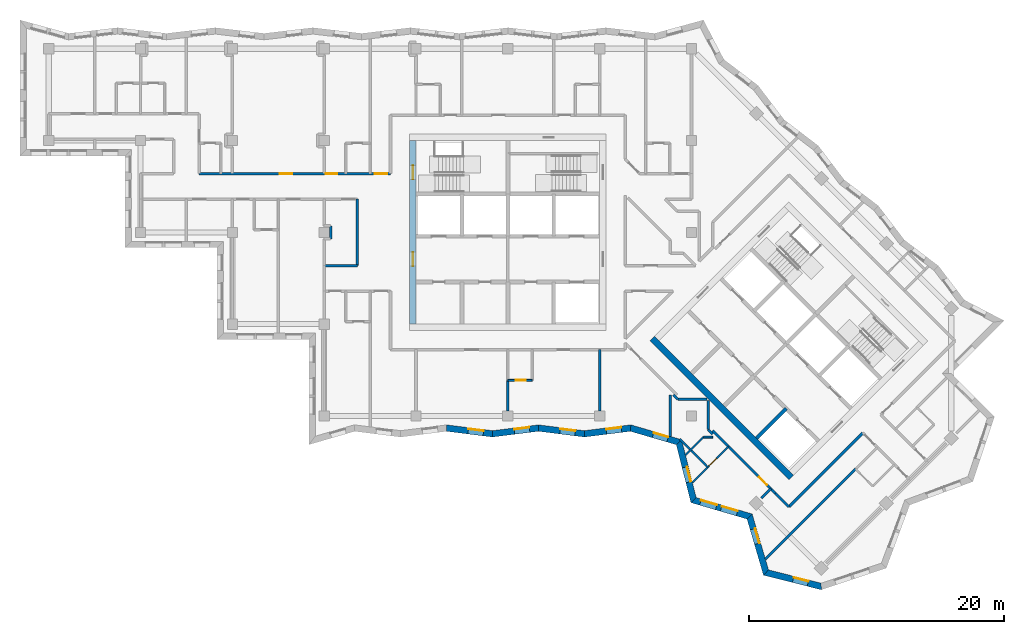
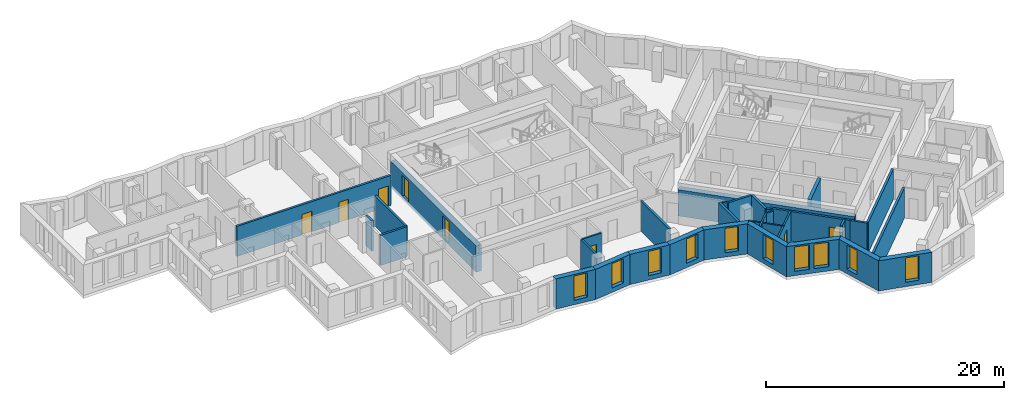
# One storey, part 3 of 12: 33 walls, 10 windows, 8 doors, 18 openings.
"""IFC4 building model written with IfcOpenShell, lengths in metres."""

import ifcopenshell
import ifcopenshell.guid

model = None  # the IFC model being written
_history = None  # IfcOwnerHistory: only IFC2X3 demands one
_inside = {}  # id of a spatial element -> (the spatial element, [elements in it])
_under = {}  # id of a project, library or spatial element -> (it, [spatial elements below it])
_declared = {}  # id of a project -> (the project, [libraries it declares])
_typed = {}  # id of a type object -> (the type object, [elements of that type])
_made_of = {}  # id of a material, layer set ... -> (it, [elements and type objects made of it])


def new_model(schema):
    """Start an empty IFC model of exactly this schema.

    Asked for "IFC4X3", IfcOpenShell would pick the latest addendum, in which some entities
    have other attributes; the version numbers below select the first issue.
    IFC2X3 requires an IfcOwnerHistory on every rooted entity: one is made here for all.
    """
    global model, _history
    if schema == "IFC4X3":
        model = ifcopenshell.file(schema_version=(4, 3, 0, 0))
    else:
        model = ifcopenshell.file(schema=schema)
    _inside.clear()
    _under.clear()
    _declared.clear()
    _typed.clear()
    _made_of.clear()
    _history = None
    if model.schema == "IFC2X3":
        org = make("IfcOrganization", Name="unknown")
        user = make(
            "IfcPersonAndOrganization",
            ThePerson=make("IfcPerson", FamilyName="unknown"),
            TheOrganization=org,
        )
        app = make(
            "IfcApplication",
            ApplicationDeveloper=org,
            Version="unknown",
            ApplicationFullName="unknown",
            ApplicationIdentifier="unknown",
        )
        _history = make(
            "IfcOwnerHistory",
            OwningUser=user,
            OwningApplication=app,
            ChangeAction="ADDED",
            CreationDate=0,
        )
    return model


def make(cls, **values):
    """One entity of the class cls with the attributes given. An attribute that is None is left unset."""
    return model.create_entity(
        cls, **{name: value for name, value in values.items() if value is not None}
    )


def rooted(cls, **values):
    """An entity with a GlobalId (a new one), such as an element, a storey or a relation."""
    return make(cls, GlobalId=ifcopenshell.guid.new(), OwnerHistory=_history, **values)


def si_unit(unit_type, name, prefix=None):
    """IfcSIUnit, for example si_unit("LENGTHUNIT", "METRE", prefix="MILLI")."""
    return make("IfcSIUnit", UnitType=unit_type, Prefix=prefix, Name=name)


def assignment(units):
    """IfcUnitAssignment: the units of a project."""
    return None if units is None else make("IfcUnitAssignment", Units=units)


def point(xyz):
    """IfcCartesianPoint."""
    return None if xyz is None else make("IfcCartesianPoint", Coordinates=xyz)


def direction(xyz):
    """IfcDirection."""
    return None if xyz is None else make("IfcDirection", DirectionRatios=xyz)


def frame(location, z_axis=None, x_axis=None):
    """IfcAxis2Placement3D, a coordinate frame: its origin and axes. An axis left out is left unset."""
    return make(
        "IfcAxis2Placement3D",
        Location=point(location),
        Axis=direction(z_axis),
        RefDirection=direction(x_axis),
    )


def frame_2d(location, x_axis=None):
    """IfcAxis2Placement2D, a coordinate frame in the plane: its origin and x axis."""
    return make(
        "IfcAxis2Placement2D", Location=point(location), RefDirection=direction(x_axis)
    )


def origin():
    """The frame at (0, 0, 0) with its axes left unset."""
    return frame((0.0, 0.0, 0.0))


def place(relative_to, where):
    """IfcLocalPlacement: puts the frame where relative to a parent placement (None: the world)."""
    return make(
        "IfcLocalPlacement", PlacementRelTo=relative_to, RelativePlacement=where
    )


def context(
    kind, dimensions, precision=None, world=None, true_north=None, identifier=None
):
    """IfcGeometricRepresentationContext, for example the 3D "Model" context."""
    return make(
        "IfcGeometricRepresentationContext",
        ContextIdentifier=identifier,
        ContextType=kind,
        CoordinateSpaceDimension=dimensions,
        Precision=precision,
        WorldCoordinateSystem=world,
        TrueNorth=true_north,
    )


def subcontext(parent, identifier, kind, view, scale=None):
    """IfcGeometricRepresentationSubContext, for example "Body" below "Model"."""
    return make(
        "IfcGeometricRepresentationSubContext",
        ContextIdentifier=identifier,
        ContextType=kind,
        ParentContext=parent,
        TargetScale=scale,
        TargetView=view,
    )


def project(units=None, contexts=None):
    """IfcProject with its units and contexts."""
    return rooted(
        "IfcProject",
        Name="project",
        RepresentationContexts=contexts,
        UnitsInContext=assignment(units),
    )


def spatial(cls, under=None, at=None, **own):
    """A site, building, storey or space (cls), placed at a placement, below another one or the project."""
    s = rooted(cls, ObjectPlacement=at, **own)
    if under is not None:
        _under.setdefault(under.id(), (under, []))[1].append(s)
    return s


def polyline(points):
    """IfcPolyline through the points."""
    return make("IfcPolyline", Points=[point(p) for p in points])


def profile(cls, at=None, kind="AREA", **sizes):
    """A parametric profile (cls). Its sizes go by their IFC names, for example OverallWidth=200.0."""
    return make(cls, ProfileType=kind, Position=at, **sizes)


def rectangle(**sizes):
    """IfcRectangleProfileDef."""
    return profile("IfcRectangleProfileDef", **sizes)


def outline(outer, holes=None, kind="AREA"):
    """IfcArbitraryClosedProfileDef: a profile drawn as a closed curve; with holes, ...WithVoids."""
    if holes is None:
        return make("IfcArbitraryClosedProfileDef", ProfileType=kind, OuterCurve=outer)
    return make(
        "IfcArbitraryProfileDefWithVoids",
        ProfileType=kind,
        OuterCurve=outer,
        InnerCurves=holes,
    )


def extrude(swept, where, along, depth):
    """IfcExtrudedAreaSolid: the profile swept, set in the frame where, extruded along a direction by depth."""
    return make(
        "IfcExtrudedAreaSolid",
        SweptArea=swept,
        Position=where,
        ExtrudedDirection=direction(along),
        Depth=depth,
    )


def shape(context_of_items, identifier, shape_type, items):
    """IfcShapeRepresentation: the items that make up one representation, for example the "Body"."""
    return make(
        "IfcShapeRepresentation",
        ContextOfItems=context_of_items,
        RepresentationIdentifier=identifier,
        RepresentationType=shape_type,
        Items=items,
    )


def material(Name=None, Category=None):
    """IfcMaterial."""
    return make("IfcMaterial", Name=Name, Category=Category)


def layer(
    of_material, thickness, ventilated=None, Name=None, Category=None, Priority=None
):
    """IfcMaterialLayer: one layer of a wall or slab, of a material (None: an air gap)."""
    return make(
        "IfcMaterialLayer",
        Material=of_material,
        LayerThickness=thickness,
        IsVentilated=ventilated,
        Name=Name,
        Category=Category,
        Priority=Priority,
    )


def layer_set(layers, Name=None):
    """IfcMaterialLayerSet."""
    return make("IfcMaterialLayerSet", MaterialLayers=layers, LayerSetName=Name)


def made_of(thing, what):
    """Note that an element or type object is made of a material, layer set ...; save() writes the relation."""
    if what is not None:
        _made_of.setdefault(what.id(), (what, []))[1].append(thing)
    return thing


def type_object(cls, material=None, **own):
    """A type object (cls), such as IfcWallType, which elements share."""
    return made_of(rooted(cls, **own), material)


def element(
    cls,
    number,
    at=None,
    inside=None,
    cuts=None,
    type_object=None,
    material=None,
    context=None,
    identifier="Body",
    shape_type=None,
    held_by="IfcProductDefinitionShape",
    body=None,
    shapes=None,
    **own,
):
    """One element of the class cls, such as IfcWall. Its Tag is "e" and its number.

    at: its placement. inside: the storey or other place that contains it. cuts: it is an
    opening in that element (IfcRelVoidsElement). A single representation is given by context,
    identifier, shape_type and body (its items); several are given by shapes. held_by: the class
    of the entity that holds the representations. save() writes the other relations.
    """
    e = rooted(cls, Tag="e%d" % number, ObjectPlacement=at, **own)
    if body is not None:
        shapes = [shape(context, identifier, shape_type, body)]
    if shapes is not None:
        e.Representation = make(held_by, Representations=shapes)
    if inside is not None:
        _inside.setdefault(inside.id(), (inside, []))[1].append(e)
    if cuts is not None:
        rooted(
            "IfcRelVoidsElement", RelatingBuildingElement=cuts, RelatedOpeningElement=e
        )
    if type_object is not None:
        _typed.setdefault(type_object.id(), (type_object, []))[1].append(e)
    return made_of(e, material)


def fill(opening, filler):
    """IfcRelFillsElement: the door or window that sits in an opening."""
    return rooted(
        "IfcRelFillsElement",
        RelatingOpeningElement=opening,
        RelatedBuildingElement=filler,
    )


def aggregate(whole, parts):
    """IfcRelAggregates: a whole, such as a stair, and the parts it consists of."""
    return rooted("IfcRelAggregates", RelatingObject=whole, RelatedObjects=parts)


def save(model, path):
    """Write the relations noted so far, then the file.

    IfcRelAggregates (storeys below a building ...), IfcRelContainedInSpatialStructure (elements
    in a storey), IfcRelDefinesByType, IfcRelAssociatesMaterial and IfcRelDeclares: one each for
    every whole, place, type object, material and project.
    """
    for whole, parts in _under.values():
        aggregate(whole, parts)
    for where, things in _inside.values():
        rooted(
            "IfcRelContainedInSpatialStructure",
            RelatedElements=things,
            RelatingStructure=where,
        )
    for kind, things in _typed.values():
        rooted("IfcRelDefinesByType", RelatedObjects=things, RelatingType=kind)
    for what, things in _made_of.values():
        rooted("IfcRelAssociatesMaterial", RelatedObjects=things, RelatingMaterial=what)
    for by, libraries in _declared.values():
        rooted("IfcRelDeclares", RelatingContext=by, RelatedDefinitions=libraries)
    model.write(path)


model = new_model("IFC4")

# Units and contexts
model_context = context("Model", 3, precision=1e-05, world=origin(), true_north=direction((0.0, 1.0)))
body_context = subcontext(model_context, "Body", "Model", "MODEL_VIEW")
ifc_project = project(units=[si_unit("LENGTHUNIT", "METRE"), si_unit("AREAUNIT", "SQUARE_METRE"), si_unit("VOLUMEUNIT", "CUBIC_METRE"), si_unit("PLANEANGLEUNIT", "RADIAN"), si_unit("MASSUNIT", "GRAM", prefix="KILO")], contexts=[model_context])

# Site, building, storey
site_placement = place(None, origin())
site = spatial("IfcSite", under=ifc_project, at=site_placement, CompositionType="ELEMENT")
building_placement = place(site_placement, origin())
building = spatial("IfcBuilding", under=site, at=building_placement, Name="Windrow Commons", CompositionType="ELEMENT")
storey_placement = place(building_placement, frame((0.0, 0.0, 206.6)))
storey = spatial("IfcBuildingStorey", under=building, at=storey_placement, Name="L56", CompositionType="ELEMENT", Elevation=206.6)

# Wall, opening, window
ifc_material_1 = material(Name="Brick masonry, red clay brick", Category="masonry")
ifc_layer_1 = layer(ifc_material_1, 0.5)
ifc_layer_set_1 = layer_set([ifc_layer_1], Name="Brick facade wall 500")
wall_type_1 = type_object("IfcWallType", Name="Brick facade wall 500", PredefinedType="SOLIDWALL", material=ifc_layer_set_1)
wall_1_placement = place(storey_placement, frame((60.0026, 42.252, 0.0), z_axis=(0.0, 0.0, 1.0), x_axis=(0.9922477484, -0.124275524, 0.0)))
wall_1 = element("IfcWall", 1, at=wall_1_placement, inside=storey, type_object=wall_type_1, Name="Brick facade wall L56 41", PredefinedType="SOLIDWALL", context=body_context, shape_type="SweptSolid", body=[
    extrude(outline(polyline([(0.0313, -0.25), (3.6603, -0.25), (3.5977, 0.25), (-0.0313, 0.25), (0.0313, -0.25)])), origin(), (0.0, 0.0, 1.0), 3.1),
])
opening_1_placement = place(wall_1_placement, frame((1.7022, 0.0, 0.45)))
opening_1 = element("IfcOpeningElement", 2, at=opening_1_placement, cuts=wall_1, Name="Opening W7E", PredefinedType="OPENING", context=body_context, shape_type="SweptSolid", body=[
    extrude(rectangle(XDim=1.2, YDim=2.5, at=frame_2d((0.6, 1.25))), frame((0.0, 0.26, 0.0), z_axis=(0.0, -1.0, 0.0), x_axis=(1.0, 0.0, 0.0)), (0.0, 0.0, 1.0), 0.52),
])
ifc_material_2 = material(Name="Clear float glass in anodised aluminium frame", Category="aluminium")
window_type_1 = type_object("IfcWindowType", Name="Window W7 notch 1200x2500", PartitioningType="SINGLE_PANEL", PredefinedType="WINDOW", material=ifc_material_2)
window_1_placement = place(opening_1_placement, origin())
window_1 = element("IfcWindow", 3, at=window_1_placement, inside=storey, type_object=window_type_1, Name="Window L56 41.1", OverallHeight=2.5, OverallWidth=1.2, PartitioningType="SINGLE_PANEL", PredefinedType="WINDOW", context=body_context, shape_type="SweptSolid", body=[
    extrude(rectangle(XDim=1.2, YDim=2.5, at=frame_2d((0.6, 1.25))), frame((0.0, 0.18, 0.0), z_axis=(0.0, -1.0, 0.0), x_axis=(1.0, 0.0, 0.0)), (0.0, 0.0, 1.0), 0.06),
])
fill(opening_1, window_1)

wall_2_placement = place(storey_placement, frame((63.6035, 41.801, 0.0), z_axis=(0.0, 0.0, 1.0), x_axis=(0.9922473228, 0.1242789221, 0.0)))
wall_2 = element("IfcWall", 4, at=wall_2_placement, inside=storey, type_object=wall_type_1, Name="Brick facade wall L56 42", PredefinedType="SOLIDWALL", context=body_context, shape_type="SweptSolid", body=[
    extrude(outline(polyline([(-0.0313, -0.25), (3.5977, -0.25), (3.6603, 0.25), (0.0313, 0.25), (-0.0313, -0.25)])), origin(), (0.0, 0.0, 1.0), 3.1),
])
opening_2_placement = place(wall_2_placement, frame((1.7174, 0.0, 0.45)))
opening_2 = element("IfcOpeningElement", 5, at=opening_2_placement, cuts=wall_2, Name="Opening W7E", PredefinedType="OPENING", context=body_context, shape_type="SweptSolid", body=[
    extrude(rectangle(XDim=1.2, YDim=2.5, at=frame_2d((0.6, 1.25))), frame((0.0, 0.26, 0.0), z_axis=(0.0, -1.0, 0.0), x_axis=(1.0, 0.0, 0.0)), (0.0, 0.0, 1.0), 0.52),
])
window_2_placement = place(opening_2_placement, origin())
window_2 = element("IfcWindow", 6, at=window_2_placement, inside=storey, type_object=window_type_1, Name="Window L56 42.1", OverallHeight=2.5, OverallWidth=1.2, PartitioningType="SINGLE_PANEL", PredefinedType="WINDOW", context=body_context, shape_type="SweptSolid", body=[
    extrude(rectangle(XDim=1.2, YDim=2.5, at=frame_2d((0.6, 1.25))), frame((0.0, 0.18, 0.0), z_axis=(0.0, -1.0, 0.0), x_axis=(1.0, 0.0, 0.0)), (0.0, 0.0, 1.0), 0.06),
])
fill(opening_2, window_2)

wall_3_placement = place(storey_placement, frame((67.2043, 42.252, 0.0), z_axis=(0.0, 0.0, 1.0), x_axis=(0.9922477484, -0.124275524, 0.0)))
wall_3 = element("IfcWall", 7, at=wall_3_placement, inside=storey, type_object=wall_type_1, Name="Brick facade wall L56 43", PredefinedType="SOLIDWALL", context=body_context, shape_type="SweptSolid", body=[
    extrude(outline(polyline([(0.0313, -0.25), (3.6603, -0.25), (3.5977, 0.25), (-0.0313, 0.25), (0.0313, -0.25)])), origin(), (0.0, 0.0, 1.0), 3.1),
])
opening_3_placement = place(wall_3_placement, frame((1.7014, 0.0, 0.45)))
opening_3 = element("IfcOpeningElement", 8, at=opening_3_placement, cuts=wall_3, Name="Opening W7E", PredefinedType="OPENING", context=body_context, shape_type="SweptSolid", body=[
    extrude(rectangle(XDim=1.2, YDim=2.5, at=frame_2d((0.6, 1.25))), frame((0.0, 0.26, 0.0), z_axis=(0.0, -1.0, 0.0), x_axis=(1.0, 0.0, 0.0)), (0.0, 0.0, 1.0), 0.52),
])
window_3_placement = place(opening_3_placement, origin())
window_3 = element("IfcWindow", 9, at=window_3_placement, inside=storey, type_object=window_type_1, Name="Window L56 43.1", OverallHeight=2.5, OverallWidth=1.2, PartitioningType="SINGLE_PANEL", PredefinedType="WINDOW", context=body_context, shape_type="SweptSolid", body=[
    extrude(rectangle(XDim=1.2, YDim=2.5, at=frame_2d((0.6, 1.25))), frame((0.0, 0.18, 0.0), z_axis=(0.0, -1.0, 0.0), x_axis=(1.0, 0.0, 0.0)), (0.0, 0.0, 1.0), 0.06),
])
fill(opening_3, window_3)

wall_4_placement = place(storey_placement, frame((70.8052, 41.801, 0.0), z_axis=(0.0, 0.0, 1.0), x_axis=(0.9922491844, 0.1242640575, 0.0)))
wall_4 = element("IfcWall", 10, at=wall_4_placement, inside=storey, type_object=wall_type_1, Name="Brick facade wall L56 44", PredefinedType="SOLIDWALL", context=body_context, shape_type="SweptSolid", body=[
    extrude(outline(polyline([(-0.0313, -0.25), (3.5977, -0.25), (3.7013, 0.25), (0.0313, 0.25), (-0.0313, -0.25)])), origin(), (0.0, 0.0, 1.0), 3.1),
])
opening_4_placement = place(wall_4_placement, frame((1.7268, 0.0, 0.45)))
opening_4 = element("IfcOpeningElement", 11, at=opening_4_placement, cuts=wall_4, Name="Opening W7E", PredefinedType="OPENING", context=body_context, shape_type="SweptSolid", body=[
    extrude(rectangle(XDim=1.2, YDim=2.5, at=frame_2d((0.6, 1.25))), frame((0.0, 0.26, 0.0), z_axis=(0.0, -1.0, 0.0), x_axis=(1.0, 0.0, 0.0)), (0.0, 0.0, 1.0), 0.52),
])
window_4_placement = place(opening_4_placement, origin())
window_4 = element("IfcWindow", 12, at=window_4_placement, inside=storey, type_object=window_type_1, Name="Window L56 44.1", OverallHeight=2.5, OverallWidth=1.2, PartitioningType="SINGLE_PANEL", PredefinedType="WINDOW", context=body_context, shape_type="SweptSolid", body=[
    extrude(rectangle(XDim=1.2, YDim=2.5, at=frame_2d((0.6, 1.25))), frame((0.0, 0.18, 0.0), z_axis=(0.0, -1.0, 0.0), x_axis=(1.0, 0.0, 0.0)), (0.0, 0.0, 1.0), 0.06),
])
fill(opening_4, window_4)

wall_5_placement = place(storey_placement, frame((74.4264, 42.2545, 0.0), z_axis=(0.0, 0.0, 1.0), x_axis=(0.9599457695, -0.2801858662, 0.0)))
wall_5 = element("IfcWall", 13, at=wall_5_placement, inside=storey, type_object=wall_type_1, Name="Brick facade wall L56 45", PredefinedType="SOLIDWALL", context=body_context, shape_type="SweptSolid", body=[
    extrude(outline(polyline([(0.0518, -0.25), (3.8029, -0.25), (4.089, 0.25), (-0.0518, 0.25), (0.0518, -0.25)])), origin(), (0.0, 0.0, 1.0), 3.1),
])
opening_5_placement = place(wall_5_placement, frame((1.8343, 0.0, 0.45)))
opening_5 = element("IfcOpeningElement", 14, at=opening_5_placement, cuts=wall_5, Name="Opening W7E", PredefinedType="OPENING", context=body_context, shape_type="SweptSolid", body=[
    extrude(rectangle(XDim=1.2, YDim=2.5, at=frame_2d((0.6, 1.25))), frame((0.0, 0.26, 0.0), z_axis=(0.0, -1.0, 0.0), x_axis=(1.0, 0.0, 0.0)), (0.0, 0.0, 1.0), 0.52),
])
window_5_placement = place(opening_5_placement, origin())
window_5 = element("IfcWindow", 15, at=window_5_placement, inside=storey, type_object=window_type_1, Name="Window L56 45.1", OverallHeight=2.5, OverallWidth=1.2, PartitioningType="SINGLE_PANEL", PredefinedType="WINDOW", context=body_context, shape_type="SweptSolid", body=[
    extrude(rectangle(XDim=1.2, YDim=2.5, at=frame_2d((0.6, 1.25))), frame((0.0, 0.18, 0.0), z_axis=(0.0, -1.0, 0.0), x_axis=(1.0, 0.0, 0.0)), (0.0, 0.0, 1.0), 0.06),
])
fill(opening_5, window_5)

wall_6_placement = place(storey_placement, frame((78.2143, 41.1489, 0.0), z_axis=(0.0, 0.0, 1.0), x_axis=(0.2448559355, -0.9695594726, 0.0)))
wall_6 = element("IfcWall", 16, at=wall_6_placement, inside=storey, type_object=wall_type_1, Name="Brick facade wall L56 46", PredefinedType="SOLIDWALL", context=body_context, shape_type="SweptSolid", body=[
    extrude(outline(polyline([(0.143, -0.25), (4.8265, -0.25), (4.5407, 0.25), (-0.143, 0.25), (0.143, -0.25)])), origin(), (0.0, 0.0, 1.0), 3.1),
])
opening_6_placement = place(wall_6_placement, frame((2.0191, 0.0, 0.45)))
opening_6 = element("IfcOpeningElement", 17, at=opening_6_placement, cuts=wall_6, Name="Opening W7E", PredefinedType="OPENING", context=body_context, shape_type="SweptSolid", body=[
    extrude(rectangle(XDim=1.2, YDim=2.5, at=frame_2d((0.6, 1.25))), frame((0.0, 0.26, 0.0), z_axis=(0.0, -1.0, 0.0), x_axis=(1.0, 0.0, 0.0)), (0.0, 0.0, 1.0), 0.52),
])
window_6_placement = place(opening_6_placement, origin())
window_6 = element("IfcWindow", 18, at=window_6_placement, inside=storey, type_object=window_type_1, Name="Window L56 46.1", OverallHeight=2.5, OverallWidth=1.2, PartitioningType="SINGLE_PANEL", PredefinedType="WINDOW", context=body_context, shape_type="SweptSolid", body=[
    extrude(rectangle(XDim=1.2, YDim=2.5, at=frame_2d((0.6, 1.25))), frame((0.0, 0.18, 0.0), z_axis=(0.0, -1.0, 0.0), x_axis=(1.0, 0.0, 0.0)), (0.0, 0.0, 1.0), 0.06),
])
fill(opening_6, window_6)

# Wall, openings, windows
wall_7_placement = place(storey_placement, frame((79.3611, 36.6079, 0.0), z_axis=(0.0, 0.0, 1.0), x_axis=(0.9597039352, -0.2810130901, 0.0)))
wall_7 = element("IfcWall", 19, at=wall_7_placement, inside=storey, type_object=wall_type_1, Name="Brick facade wall L56 47", PredefinedType="SOLIDWALL", context=body_context, shape_type="SweptSolid", body=[
    extrude(outline(polyline([(-0.1429, -0.25), (4.4413, -0.25), (4.7148, 0.25), (0.1429, 0.25), (-0.1429, -0.25)])), origin(), (0.0, 0.0, 1.0), 3.1),
])
opening_7_placement = place(wall_7_placement, frame((0.5631, 0.0, 0.45)))
opening_7 = element("IfcOpeningElement", 20, at=opening_7_placement, cuts=wall_7, Name="Opening W1Q", PredefinedType="OPENING", context=body_context, shape_type="SweptSolid", body=[
    extrude(rectangle(XDim=1.3, YDim=2.5, at=frame_2d((0.65, 1.25))), frame((0.0, 0.26, 0.0), z_axis=(0.0, -1.0, 0.0), x_axis=(1.0, 0.0, 0.0)), (0.0, 0.0, 1.0), 0.52),
])
opening_8_placement = place(wall_7_placement, frame((2.2631, 0.0, 0.45)))
opening_8 = element("IfcOpeningElement", 21, at=opening_8_placement, cuts=wall_7, Name="Opening W1Q", PredefinedType="OPENING", context=body_context, shape_type="SweptSolid", body=[
    extrude(rectangle(XDim=1.3, YDim=2.5, at=frame_2d((0.65, 1.25))), frame((0.0, 0.26, 0.0), z_axis=(0.0, -1.0, 0.0), x_axis=(1.0, 0.0, 0.0)), (0.0, 0.0, 1.0), 0.52),
])
ifc_material_3 = material(Name="Clear float glass in anodised aluminium frame", Category="aluminium")
window_type_2 = type_object("IfcWindowType", Name="Window W1Q pair 1300x2500", PartitioningType="SINGLE_PANEL", PredefinedType="WINDOW", material=ifc_material_3)
window_7_placement = place(opening_7_placement, origin())
window_7 = element("IfcWindow", 22, at=window_7_placement, inside=storey, type_object=window_type_2, Name="Window L56 47.1A", OverallHeight=2.5, OverallWidth=1.3, PartitioningType="SINGLE_PANEL", PredefinedType="WINDOW", context=body_context, shape_type="SweptSolid", body=[
    extrude(rectangle(XDim=1.3, YDim=2.5, at=frame_2d((0.65, 1.25))), frame((0.0, 0.18, 0.0), z_axis=(0.0, -1.0, 0.0), x_axis=(1.0, 0.0, 0.0)), (0.0, 0.0, 1.0), 0.06),
])
fill(opening_7, window_7)
window_8_placement = place(opening_8_placement, origin())
window_8 = element("IfcWindow", 23, at=window_8_placement, inside=storey, type_object=window_type_2, Name="Window L56 47.1B", OverallHeight=2.5, OverallWidth=1.3, PartitioningType="SINGLE_PANEL", PredefinedType="WINDOW", context=body_context, shape_type="SweptSolid", body=[
    extrude(rectangle(XDim=1.3, YDim=2.5, at=frame_2d((0.65, 1.25))), frame((0.0, 0.18, 0.0), z_axis=(0.0, -1.0, 0.0), x_axis=(1.0, 0.0, 0.0)), (0.0, 0.0, 1.0), 0.06),
])
fill(opening_8, window_8)

# Wall, opening, window
wall_8_placement = place(storey_placement, frame((83.7547, 35.3214, 0.0), z_axis=(0.0, 0.0, 1.0), x_axis=(0.2810130901, -0.9597039352, 0.0)))
wall_8 = element("IfcWall", 24, at=wall_8_placement, inside=storey, type_object=wall_type_1, Name="Brick facade wall L56 48", PredefinedType="SOLIDWALL", context=body_context, shape_type="SweptSolid", body=[
    extrude(outline(polyline([(0.1368, -0.25), (4.721, -0.25), (4.4352, 0.25), (-0.1368, 0.25), (0.1368, -0.25)])), origin(), (0.0, 0.0, 1.0), 3.1),
])
opening_9_placement = place(wall_8_placement, frame((1.022, 0.0, 0.45)))
opening_9 = element("IfcOpeningElement", 25, at=opening_9_placement, cuts=wall_8, Name="Opening W7E", PredefinedType="OPENING", context=body_context, shape_type="SweptSolid", body=[
    extrude(rectangle(XDim=1.2, YDim=2.5, at=frame_2d((0.6, 1.25))), frame((0.0, 0.26, 0.0), z_axis=(0.0, -1.0, 0.0), x_axis=(1.0, 0.0, 0.0)), (0.0, 0.0, 1.0), 0.52),
])
window_9_placement = place(opening_9_placement, origin())
window_9 = element("IfcWindow", 26, at=window_9_placement, inside=storey, type_object=window_type_1, Name="Window L56 48.1", OverallHeight=2.5, OverallWidth=1.2, PartitioningType="SINGLE_PANEL", PredefinedType="WINDOW", context=body_context, shape_type="SweptSolid", body=[
    extrude(rectangle(XDim=1.2, YDim=2.5, at=frame_2d((0.6, 1.25))), frame((0.0, 0.18, 0.0), z_axis=(0.0, -1.0, 0.0), x_axis=(1.0, 0.0, 0.0)), (0.0, 0.0, 1.0), 0.06),
])
fill(opening_9, window_9)

wall_9_placement = place(storey_placement, frame((85.0412, 30.9278, 0.0), z_axis=(0.0, 0.0, 1.0), x_axis=(0.9695577127, -0.2448629039, 0.0)))
wall_9 = element("IfcWall", 27, at=wall_9_placement, inside=storey, type_object=wall_type_1, Name="Brick facade wall L56 49", PredefinedType="SOLIDWALL", context=body_context, shape_type="SweptSolid", body=[
    extrude(outline(polyline([(-0.1429, -0.25), (4.5406, -0.25), (4.3943, 0.25), (0.1429, 0.25), (-0.1429, -0.25)])), origin(), (0.0, 0.0, 1.0), 3.1),
])
opening_10_placement = place(wall_9_placement, frame((2.1979, 0.0, 0.45)))
opening_10 = element("IfcOpeningElement", 28, at=opening_10_placement, cuts=wall_9, Name="Opening W7E", PredefinedType="OPENING", context=body_context, shape_type="SweptSolid", body=[
    extrude(rectangle(XDim=1.2, YDim=2.5, at=frame_2d((0.6, 1.25))), frame((0.0, 0.26, 0.0), z_axis=(0.0, -1.0, 0.0), x_axis=(1.0, 0.0, 0.0)), (0.0, 0.0, 1.0), 0.52),
])
window_10_placement = place(opening_10_placement, origin())
window_10 = element("IfcWindow", 29, at=window_10_placement, inside=storey, type_object=window_type_1, Name="Window L56 49.1", OverallHeight=2.5, OverallWidth=1.2, PartitioningType="SINGLE_PANEL", PredefinedType="WINDOW", context=body_context, shape_type="SweptSolid", body=[
    extrude(rectangle(XDim=1.2, YDim=2.5, at=frame_2d((0.6, 1.25))), frame((0.0, 0.18, 0.0), z_axis=(0.0, -1.0, 0.0), x_axis=(1.0, 0.0, 0.0)), (0.0, 0.0, 1.0), 0.06),
])
fill(opening_10, window_10)

# Wall, openings, doors
ifc_material_4 = material(Name="Blockwork partition", Category="masonry")
ifc_layer_2 = layer(ifc_material_4, 0.2)
ifc_layer_set_2 = layer_set([ifc_layer_2], Name="IW-CORRIDOR-200")
wall_type_2 = type_object("IfcWallType", Name="IW-CORRIDOR-200", PredefinedType="PARTITIONING", material=ifc_layer_set_2)
wall_10_placement = place(storey_placement, frame((40.602, 62.2, 0.0), z_axis=(0.0, 0.0, 1.0), x_axis=(1.0, 0.0, 0.0)))
wall_10 = element("IfcWall", 30, at=wall_10_placement, inside=storey, type_object=wall_type_2, Name="W-L56-W003", PredefinedType="PARTITIONING", context=body_context, shape_type="SweptSolid", body=[
    extrude(rectangle(XDim=14.998, YDim=0.2, at=frame_2d((7.499, 0.0))), origin(), (0.0, 0.0, 1.0), 3.1),
])
opening_11_placement = place(wall_10_placement, frame((6.308, 0.0, 0.0)))
opening_11 = element("IfcOpeningElement", 31, at=opening_11_placement, cuts=wall_10, Name="Opening D310F", PredefinedType="OPENING", context=body_context, shape_type="SweptSolid", body=[
    extrude(rectangle(XDim=1.0, YDim=2.1, at=frame_2d((0.5, 1.05))), frame((0.0, 0.11, 0.0), z_axis=(0.0, -1.0, 0.0), x_axis=(1.0, 0.0, 0.0)), (0.0, 0.0, 1.0), 0.22),
])
opening_12_placement = place(wall_10_placement, frame((9.928, 0.0, 0.0)))
opening_12 = element("IfcOpeningElement", 32, at=opening_12_placement, cuts=wall_10, Name="Opening D109S", PredefinedType="OPENING", context=body_context, shape_type="SweptSolid", body=[
    extrude(rectangle(XDim=0.9, YDim=2.1, at=frame_2d((0.45, 1.05))), frame((0.0, 0.11, 0.0), z_axis=(0.0, -1.0, 0.0), x_axis=(1.0, 0.0, 0.0)), (0.0, 0.0, 1.0), 0.22),
])
opening_13_placement = place(wall_10_placement, frame((13.7456, 0.0, 0.0)))
opening_13 = element("IfcOpeningElement", 33, at=opening_13_placement, cuts=wall_10, Name="Opening D310F", PredefinedType="OPENING", context=body_context, shape_type="SweptSolid", body=[
    extrude(rectangle(XDim=1.0, YDim=2.1, at=frame_2d((0.5, 1.05))), frame((0.0, 0.11, 0.0), z_axis=(0.0, -1.0, 0.0), x_axis=(1.0, 0.0, 0.0)), (0.0, 0.0, 1.0), 0.22),
])
ifc_material_5 = material(Name="Timber door leaf", Category="wood")
door_type_1 = type_object("IfcDoorType", Name="DT-AMENITY-1000", OperationType="SINGLE_SWING_LEFT", PredefinedType="DOOR", material=ifc_material_5)
door_1_placement = place(opening_11_placement, origin())
door_1 = element("IfcDoor", 34, at=door_1_placement, inside=storey, type_object=door_type_1, Name="D-L56-D018", OperationType="SINGLE_SWING_RIGHT", OverallHeight=2.1, OverallWidth=1.0, PredefinedType="DOOR", context=body_context, shape_type="SweptSolid", body=[
    extrude(rectangle(XDim=1.0, YDim=2.1, at=frame_2d((0.5, 1.05))), frame((0.0, 0.025, 0.0), z_axis=(0.0, -1.0, 0.0), x_axis=(1.0, 0.0, 0.0)), (0.0, 0.0, 1.0), 0.05),
])
fill(opening_11, door_1)
door_2_placement = place(opening_13_placement, origin())
door_2 = element("IfcDoor", 35, at=door_2_placement, inside=storey, type_object=door_type_1, Name="D-L56-D021", OperationType="SINGLE_SWING_LEFT", OverallHeight=2.1, OverallWidth=1.0, PredefinedType="DOOR", context=body_context, shape_type="SweptSolid", body=[
    extrude(rectangle(XDim=1.0, YDim=2.1, at=frame_2d((0.5, 1.05))), frame((0.0, 0.025, 0.0), z_axis=(0.0, -1.0, 0.0), x_axis=(1.0, 0.0, 0.0)), (0.0, 0.0, 1.0), 0.05),
])
fill(opening_13, door_2)
ifc_material_6 = material(Name="Timber door leaf", Category="wood")
door_type_2 = type_object("IfcDoorType", Name="DT-BEDROOM-900", OperationType="SINGLE_SWING_LEFT", PredefinedType="DOOR", material=ifc_material_6)
door_3_placement = place(opening_12_placement, origin())
door_3 = element("IfcDoor", 36, at=door_3_placement, inside=storey, type_object=door_type_2, Name="D-L56-D019", OperationType="SINGLE_SWING_RIGHT", OverallHeight=2.1, OverallWidth=0.9, PredefinedType="DOOR", context=body_context, shape_type="SweptSolid", body=[
    extrude(rectangle(XDim=0.9, YDim=2.1, at=frame_2d((0.45, 1.05))), frame((0.0, 0.025, 0.0), z_axis=(0.0, -1.0, 0.0), x_axis=(1.0, 0.0, 0.0)), (0.0, 0.0, 1.0), 0.05),
])
fill(opening_12, door_3)

# Wall
wall_11_placement = place(storey_placement, frame((86.8351, 36.0789, 0.0), z_axis=(0.0, 0.0, 1.0), x_axis=(0.7071067812, 0.7071067812, 0.0)))
element("IfcWall", 37, at=wall_11_placement, inside=storey, type_object=wall_type_2, Name="W-L56-W009", PredefinedType="PARTITIONING", context=body_context, shape_type="SweptSolid", body=[
    extrude(rectangle(XDim=8.1996, YDim=0.2, at=frame_2d((4.0998, 0.0))), origin(), (0.0, 0.0, 1.0), 3.1),
])

# Wall, opening, door
wall_12_placement = place(storey_placement, frame((80.8487, 42.0607, 0.0), z_axis=(0.0, 0.0, 1.0), x_axis=(0.7071067812, -0.7071067812, 0.0)))
wall_12 = element("IfcWall", 38, at=wall_12_placement, inside=storey, type_object=wall_type_2, Name="W-L56-W015", PredefinedType="PARTITIONING", context=body_context, shape_type="SweptSolid", body=[
    extrude(rectangle(XDim=6.9636, YDim=0.2, at=frame_2d((3.4818, 0.0))), origin(), (0.0, 0.0, 1.0), 3.1),
])
opening_14_placement = place(wall_12_placement, frame((5.1589, 0.0, 0.0)))
opening_14 = element("IfcOpeningElement", 39, at=opening_14_placement, cuts=wall_12, Name="Opening D109S", PredefinedType="OPENING", context=body_context, shape_type="SweptSolid", body=[
    extrude(rectangle(XDim=0.9, YDim=2.1, at=frame_2d((0.45, 1.05))), frame((0.0, 0.11, 0.0), z_axis=(0.0, -1.0, 0.0), x_axis=(1.0, 0.0, 0.0)), (0.0, 0.0, 1.0), 0.22),
])
door_4_placement = place(opening_14_placement, origin())
door_4 = element("IfcDoor", 40, at=door_4_placement, inside=storey, type_object=door_type_2, Name="D-L56-D039", OperationType="SINGLE_SWING_RIGHT", OverallHeight=2.1, OverallWidth=0.9, PredefinedType="DOOR", context=body_context, shape_type="SweptSolid", body=[
    extrude(rectangle(XDim=0.9, YDim=2.1, at=frame_2d((0.45, 1.05))), frame((0.0, 0.025, 0.0), z_axis=(0.0, -1.0, 0.0), x_axis=(1.0, 0.0, 0.0)), (0.0, 0.0, 1.0), 0.05),
])
fill(opening_14, door_4)

# Walls
wall_13_placement = place(storey_placement, frame((53.0, 55.002, 0.0), z_axis=(0.0, 0.0, 1.0), x_axis=(0.0, 1.0, 0.0)))
element("IfcWall", 41, at=wall_13_placement, inside=storey, type_object=wall_type_2, Name="W-L56-W035", PredefinedType="PARTITIONING", context=body_context, shape_type="SweptSolid", body=[
    extrude(rectangle(XDim=5.198, YDim=0.2, at=frame_2d((2.599, 0.0))), origin(), (0.0, 0.0, 1.0), 3.1),
])
wall_14_placement = place(storey_placement, frame((50.4, 55.0, 0.0), z_axis=(0.0, 0.0, 1.0), x_axis=(1.0, 0.0, 0.0)))
element("IfcWall", 42, at=wall_14_placement, inside=storey, type_object=wall_type_2, Name="W-L56-W055", PredefinedType="PARTITIONING", context=body_context, shape_type="SweptSolid", body=[
    extrude(rectangle(XDim=2.6, YDim=0.2, at=frame_2d((1.3, 0.0))), origin(), (0.0, 0.0, 1.0), 3.1),
])
for number, where, z_axis, x_axis, name in (
    (43, (78.132, 44.5, 0.0), (0.0, 0.0, 1.0), (1.0, 0.0, 0.0), "W-L56-W085"),
    (44, (80.5, 42.132, 0.0), (0.0, 0.0, 1.0), (0.0, 1.0, 0.0), "W-L56-W086"),
):
    element("IfcWall", number, at=place(storey_placement, frame(where, z_axis=z_axis, x_axis=x_axis)), inside=storey, type_object=wall_type_2, Name=name, PredefinedType="PARTITIONING", context=body_context, shape_type="SweptSolid", body=[
        extrude(rectangle(XDim=2.292, YDim=0.2, at=frame_2d((1.146, 0.0))), origin(), (0.0, 0.0, 1.0), 3.1),
    ])
wall_15_placement = place(storey_placement, frame((85.778, 37.142, 0.0), z_axis=(0.0, 0.0, 1.0), x_axis=(0.7064400143, -0.70777292, 0.0)))
element("IfcWall", 45, at=wall_15_placement, inside=storey, type_object=wall_type_2, Name="W-L56-W121", PredefinedType="PARTITIONING", context=body_context, shape_type="SweptSolid", body=[
    extrude(rectangle(XDim=1.5005, YDim=0.2, at=frame_2d((0.7502, 0.0))), origin(), (0.0, 0.0, 1.0), 3.1),
])
for number, where, z_axis, x_axis, name in (
    (46, (77.7792, 44.8472, 0.0), (0.0, 0.0, 1.0), (0.7071067812, -0.7071067812, 0.0), "W-L56-W155"),
    (47, (80.4972, 42.1292, 0.0), (0.0, 0.0, 1.0), (0.7071067812, -0.7071067812, 0.0), "W-L56-W156"),
):
    element("IfcWall", number, at=place(storey_placement, frame(where, z_axis=z_axis, x_axis=x_axis)), inside=storey, type_object=wall_type_2, Name=name, PredefinedType="PARTITIONING", context=body_context, shape_type="SweptSolid", body=[
        extrude(rectangle(XDim=0.495, YDim=0.2, at=frame_2d((0.2475, 0.0))), origin(), (0.0, 0.0, 1.0), 3.1),
    ])

# Wall, opening, door
ifc_material_7 = material(Name="Blockwork partition", Category="masonry")
ifc_layer_3 = layer(ifc_material_7, 0.15)
ifc_layer_set_3 = layer_set([ifc_layer_3], Name="IW-ENSUITE-150")
wall_type_3 = type_object("IfcWallType", Name="IW-ENSUITE-150", PredefinedType="PARTITIONING", material=ifc_layer_set_3)
wall_16_placement = place(storey_placement, frame((79.2701, 37.9892, 0.0), z_axis=(0.0, 0.0, 1.0), x_axis=(0.7070942763, 0.7071192858, 0.0)))
wall_16 = element("IfcWall", 48, at=wall_16_placement, inside=storey, type_object=wall_type_3, Name="W-L56-W043", PredefinedType="PARTITIONING", context=body_context, shape_type="SweptSolid", body=[
    extrude(rectangle(XDim=3.9985, YDim=0.15, at=frame_2d((1.9992, 0.0))), origin(), (0.0, 0.0, 1.0), 3.1),
])
opening_15_placement = place(wall_16_placement, frame((1.858, 0.0, 0.0)))
opening_15 = element("IfcOpeningElement", 49, at=opening_15_placement, cuts=wall_16, Name="Opening D208N", PredefinedType="OPENING", context=body_context, shape_type="SweptSolid", body=[
    extrude(rectangle(XDim=0.8, YDim=2.1, at=frame_2d((0.4, 1.05))), frame((0.0, 0.085, 0.0), z_axis=(0.0, -1.0, 0.0), x_axis=(1.0, 0.0, 0.0)), (0.0, 0.0, 1.0), 0.17),
])
ifc_material_8 = material(Name="Timber door leaf", Category="wood")
door_type_3 = type_object("IfcDoorType", Name="DT-ENSUITE-800", OperationType="SINGLE_SWING_LEFT", PredefinedType="DOOR", material=ifc_material_8)
door_5_placement = place(opening_15_placement, origin())
door_5 = element("IfcDoor", 50, at=door_5_placement, inside=storey, type_object=door_type_3, Name="D-L56-D040", OperationType="SINGLE_SWING_RIGHT", OverallHeight=2.1, OverallWidth=0.8, PredefinedType="DOOR", context=body_context, shape_type="SweptSolid", body=[
    extrude(rectangle(XDim=0.8, YDim=2.1, at=frame_2d((0.4, 1.05))), frame((0.0, 0.025, 0.0), z_axis=(0.0, -1.0, 0.0), x_axis=(1.0, 0.0, 0.0)), (0.0, 0.0, 1.0), 0.05),
])
fill(opening_15, door_5)

# Walls
wall_17_placement = place(storey_placement, frame((78.2839, 41.3876, 0.0), z_axis=(0.0, 0.0, 1.0), x_axis=(0.7066067914, -0.7076064177, 0.0)))
element("IfcWall", 51, at=wall_17_placement, inside=storey, type_object=wall_type_3, Name="W-L56-W052", PredefinedType="PARTITIONING", context=body_context, shape_type="SweptSolid", body=[
    extrude(rectangle(XDim=3.1012, YDim=0.15, at=frame_2d((1.5506, 0.0))), origin(), (0.0, 0.0, 1.0), 3.1),
])
wall_18_placement = place(storey_placement, frame((78.7283, 40.1344, 0.0), z_axis=(0.0, 0.0, 1.0), x_axis=(0.7070818237, 0.7071317377, 0.0)))
element("IfcWall", 52, at=wall_18_placement, inside=storey, type_object=wall_type_3, Name="W-L56-W104", PredefinedType="PARTITIONING", context=body_context, shape_type="SweptSolid", body=[
    extrude(rectangle(XDim=2.0034, YDim=0.15, at=frame_2d((1.0017, 0.0))), origin(), (0.0, 0.0, 1.0), 3.1),
])

# Wall, opening, door
wall_19_placement = place(storey_placement, frame((64.8, 46.0, 0.0), z_axis=(0.0, 0.0, 1.0), x_axis=(1.0, 0.0, 0.0)))
wall_19 = element("IfcWall", 53, at=wall_19_placement, inside=storey, type_object=wall_type_3, Name="W-L56-W109", PredefinedType="PARTITIONING", context=body_context, shape_type="SweptSolid", body=[
    extrude(rectangle(XDim=1.9, YDim=0.15, at=frame_2d((0.95, 0.0))), origin(), (0.0, 0.0, 1.0), 3.1),
])
opening_16_placement = place(wall_19_placement, frame((0.6069, 0.0, 0.0)))
opening_16 = element("IfcOpeningElement", 54, at=opening_16_placement, cuts=wall_19, Name="Opening D208N", PredefinedType="OPENING", context=body_context, shape_type="SweptSolid", body=[
    extrude(rectangle(XDim=0.8, YDim=2.1, at=frame_2d((0.4, 1.05))), frame((0.0, 0.085, 0.0), z_axis=(0.0, -1.0, 0.0), x_axis=(1.0, 0.0, 0.0)), (0.0, 0.0, 1.0), 0.17),
])
door_6_placement = place(opening_16_placement, origin())
door_6 = element("IfcDoor", 55, at=door_6_placement, inside=storey, type_object=door_type_3, Name="D-L56-D032", OperationType="SINGLE_SWING_RIGHT", OverallHeight=2.1, OverallWidth=0.8, PredefinedType="DOOR", context=body_context, shape_type="SweptSolid", body=[
    extrude(rectangle(XDim=0.8, YDim=2.1, at=frame_2d((0.4, 1.05))), frame((0.0, 0.025, 0.0), z_axis=(0.0, -1.0, 0.0), x_axis=(1.0, 0.0, 0.0)), (0.0, 0.0, 1.0), 0.05),
])
fill(opening_16, door_6)

# Walls
wall_20_placement = place(storey_placement, frame((80.146, 41.55, 0.0), z_axis=(0.0, 0.0, 1.0), x_axis=(1.0, 0.0, 0.0)))
element("IfcWall", 56, at=wall_20_placement, inside=storey, type_object=wall_type_3, Name="W-L56-W137", PredefinedType="PARTITIONING", context=body_context, shape_type="SweptSolid", body=[
    extrude(rectangle(XDim=0.702, YDim=0.15, at=frame_2d((0.351, 0.0))), origin(), (0.0, 0.0, 1.0), 3.1),
])
ifc_material_9 = material(Name="Blockwork partition", Category="masonry")
ifc_layer_4 = layer(ifc_material_9, 0.2)
ifc_layer_set_4 = layer_set([ifc_layer_4], Name="IW-PARTY-200")
wall_type_4 = type_object("IfcWallType", Name="IW-PARTY-200", PredefinedType="PARTITIONING", material=ifc_layer_set_4)
wall_21_placement = place(storey_placement, frame((84.9962, 31.9709, 0.0), z_axis=(0.0, 0.0, 1.0), x_axis=(0.7072316927, 0.7069818476, 0.0)))
element("IfcWall", 57, at=wall_21_placement, inside=storey, type_object=wall_type_4, Name="W-L56-W005", PredefinedType="PARTITIONING", context=body_context, shape_type="SweptSolid", body=[
    extrude(rectangle(XDim=10.0062, YDim=0.2, at=frame_2d((5.0031, 0.0))), origin(), (0.0, 0.0, 1.0), 3.1),
])
wall_22_placement = place(storey_placement, frame((72.0, 43.6, 0.0), z_axis=(0.0, 0.0, 1.0), x_axis=(0.0, 1.0, 0.0)))
element("IfcWall", 58, at=wall_22_placement, inside=storey, type_object=wall_type_4, Name="W-L56-W037", PredefinedType="PARTITIONING", context=body_context, shape_type="SweptSolid", body=[
    extrude(rectangle(XDim=4.8, YDim=0.2, at=frame_2d((2.4, 0.0))), origin(), (0.0, 0.0, 1.0), 3.1),
])
wall_23_placement = place(storey_placement, frame((77.55, 41.6032, 0.0), z_axis=(0.0, 0.0, 1.0), x_axis=(0.0, 1.0, 0.0)))
element("IfcWall", 59, at=wall_23_placement, inside=storey, type_object=wall_type_4, Name="W-L56-W051", PredefinedType="PARTITIONING", context=body_context, shape_type="SweptSolid", body=[
    extrude(rectangle(XDim=3.2468, YDim=0.2, at=frame_2d((1.6234, 0.0))), origin(), (0.0, 0.0, 1.0), 3.1),
])
wall_24_placement = place(storey_placement, frame((64.8, 43.6, 0.0), z_axis=(0.0, 0.0, 1.0), x_axis=(0.0, 1.0, 0.0)))
element("IfcWall", 60, at=wall_24_placement, inside=storey, type_object=wall_type_4, Name="W-L56-W069", PredefinedType="PARTITIONING", context=body_context, shape_type="SweptSolid", body=[
    extrude(rectangle(XDim=2.4, YDim=0.2, at=frame_2d((1.2, 0.0))), origin(), (0.0, 0.0, 1.0), 3.1),
])
wall_25_placement = place(storey_placement, frame((84.6927, 36.7614, 0.0), z_axis=(0.0, 0.0, 1.0), x_axis=(0.7061388061, 0.708073433, 0.0)))
element("IfcWall", 61, at=wall_25_placement, inside=storey, type_object=wall_type_4, Name="W-L56-W125", PredefinedType="PARTITIONING", context=body_context, shape_type="SweptSolid", body=[
    extrude(rectangle(XDim=1.0338, YDim=0.2, at=frame_2d((0.5169, 0.0))), origin(), (0.0, 0.0, 1.0), 3.1),
])
wall_26_placement = place(storey_placement, frame((50.9, 57.096, 0.0), z_axis=(0.0, 0.0, 1.0), x_axis=(0.0, 1.0, 0.0)))
element("IfcWall", 62, at=wall_26_placement, inside=storey, type_object=wall_type_4, Name="W-L56-W128", PredefinedType="PARTITIONING", context=body_context, shape_type="SweptSolid", body=[
    extrude(rectangle(XDim=1.01, YDim=0.2, at=frame_2d((0.505, 0.0))), origin(), (0.0, 0.0, 1.0), 3.1),
])

# Wall, openings, doors
ifc_material_10 = material(Name="Concrete C40/50", Category="concrete")
ifc_layer_5 = layer(ifc_material_10, 0.5)
ifc_layer_set_5 = layer_set([ifc_layer_5], Name="RC CORE WALL 500 C40/50")
wall_type_5 = type_object("IfcWallType", Name="RC CORE WALL 500 C40/50", PredefinedType="SHEAR", material=ifc_layer_set_5)
wall_27_placement = place(storey_placement, frame((57.35, 50.4, -0.3), z_axis=(0.0, 0.0, 1.0), x_axis=(0.0, 1.0, 0.0)))
wall_27 = element("IfcWall", 63, at=wall_27_placement, inside=storey, type_object=wall_type_5, Name="Core A wall outer-W", PredefinedType="SHEAR", context=body_context, shape_type="SweptSolid", body=[
    extrude(rectangle(XDim=14.4, YDim=0.5, at=frame_2d((7.2, 0.0))), origin(), (0.0, 0.0, 1.0), 2.7),
])
opening_17_placement = place(wall_27_placement, frame((4.55, 0.0, 0.3)))
opening_17 = element("IfcOpeningElement", 64, at=opening_17_placement, cuts=wall_27, Name="Opening D6", PredefinedType="OPENING", context=body_context, shape_type="SweptSolid", body=[
    extrude(rectangle(XDim=1.1, YDim=2.1, at=frame_2d((0.55, 1.05))), frame((0.0, 0.26, 0.0), z_axis=(0.0, -1.0, 0.0), x_axis=(1.0, 0.0, 0.0)), (0.0, 0.0, 1.0), 0.52),
])
opening_18_placement = place(wall_27_placement, frame((11.35, 0.0, 0.3)))
opening_18 = element("IfcOpeningElement", 65, at=opening_18_placement, cuts=wall_27, Name="Opening D7", PredefinedType="OPENING", context=body_context, shape_type="SweptSolid", body=[
    extrude(rectangle(XDim=1.1, YDim=2.1, at=frame_2d((0.55, 1.05))), frame((0.0, 0.26, 0.0), z_axis=(0.0, -1.0, 0.0), x_axis=(1.0, 0.0, 0.0)), (0.0, 0.0, 1.0), 0.52),
])
ifc_material_11 = material(Name="Steel fire door leaf", Category="steel")
door_type_4 = type_object("IfcDoorType", Name="Core lobby door 1100", OperationType="SINGLE_SWING_LEFT", PredefinedType="DOOR", material=ifc_material_11)
door_7_placement = place(opening_17_placement, origin())
door_7 = element("IfcDoor", 66, at=door_7_placement, inside=storey, type_object=door_type_4, Name="Lift lobby door", OperationType="DOUBLE_DOOR_SINGLE_SWING", OverallHeight=2.1, OverallWidth=1.1, PredefinedType="DOOR", context=body_context, shape_type="SweptSolid", body=[
    extrude(rectangle(XDim=1.1, YDim=2.1, at=frame_2d((0.55, 1.05))), frame((0.0, 0.025, 0.0), z_axis=(0.0, -1.0, 0.0), x_axis=(1.0, 0.0, 0.0)), (0.0, 0.0, 1.0), 0.05),
])
fill(opening_17, door_7)
ifc_material_12 = material(Name="Steel fire door leaf", Category="steel")
door_type_5 = type_object("IfcDoorType", Name="Stair door 1100", OperationType="SINGLE_SWING_LEFT", PredefinedType="DOOR", material=ifc_material_12)
door_8_placement = place(opening_18_placement, origin())
door_8 = element("IfcDoor", 67, at=door_8_placement, inside=storey, type_object=door_type_5, Name="Stair door", OperationType="SINGLE_SWING_LEFT", OverallHeight=2.1, OverallWidth=1.1, PredefinedType="DOOR", context=body_context, shape_type="SweptSolid", body=[
    extrude(rectangle(XDim=1.1, YDim=2.1, at=frame_2d((0.55, 1.05))), frame((0.0, 0.025, 0.0), z_axis=(0.0, -1.0, 0.0), x_axis=(1.0, 0.0, 0.0)), (0.0, 0.0, 1.0), 0.05),
])
fill(opening_18, door_8)

# Walls
wall_28_placement = place(storey_placement, frame((76.1241, 49.2665, -0.3), z_axis=(0.0, 0.0, 1.0), x_axis=(0.7071067812, -0.7071067812, 0.0)))
element("IfcWall", 68, at=wall_28_placement, inside=storey, type_object=wall_type_5, Name="Core B wall outer-S", PredefinedType="SHEAR", context=body_context, shape_type="SweptSolid", body=[
    extrude(rectangle(XDim=15.3999, YDim=0.5, at=frame_2d((7.7, 0.0))), origin(), (0.0, 0.0, 1.0), 2.7),
])
ifc_material_13 = material(Name="Concrete C40/50", Category="concrete")
ifc_layer_6 = layer(ifc_material_13, 0.3)
ifc_layer_set_6 = layer_set([ifc_layer_6], Name="RC SHAFT WALL 300 C40/50")
wall_type_6 = type_object("IfcWallType", Name="RC SHAFT WALL 300 C40/50", PredefinedType="SOLIDWALL", material=ifc_layer_set_6)
wall_29_placement = place(storey_placement, frame((84.2912, 41.453, 0.0), z_axis=(0.0, 0.0, 1.0), x_axis=(0.7071067812, 0.7071067812, 0.0)))
element("IfcWall", 69, at=wall_29_placement, inside=storey, type_object=wall_type_6, Name="Core B wall shaft-S3", PredefinedType="SOLIDWALL", context=body_context, shape_type="SweptSolid", body=[
    extrude(rectangle(XDim=3.2999, YDim=0.3, at=frame_2d((1.65, 0.0))), origin(), (0.0, 0.0, 1.0), 3.1),
])

save(model, "model.ifc")
